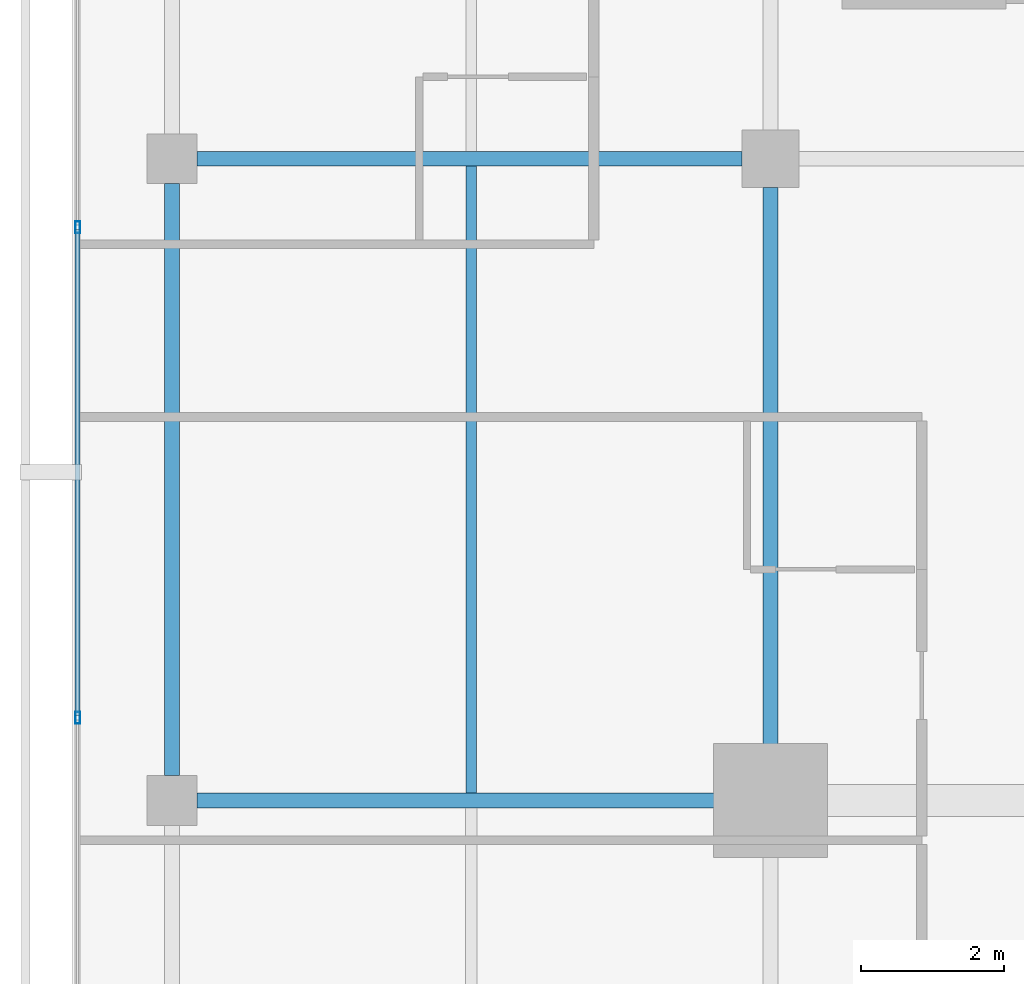
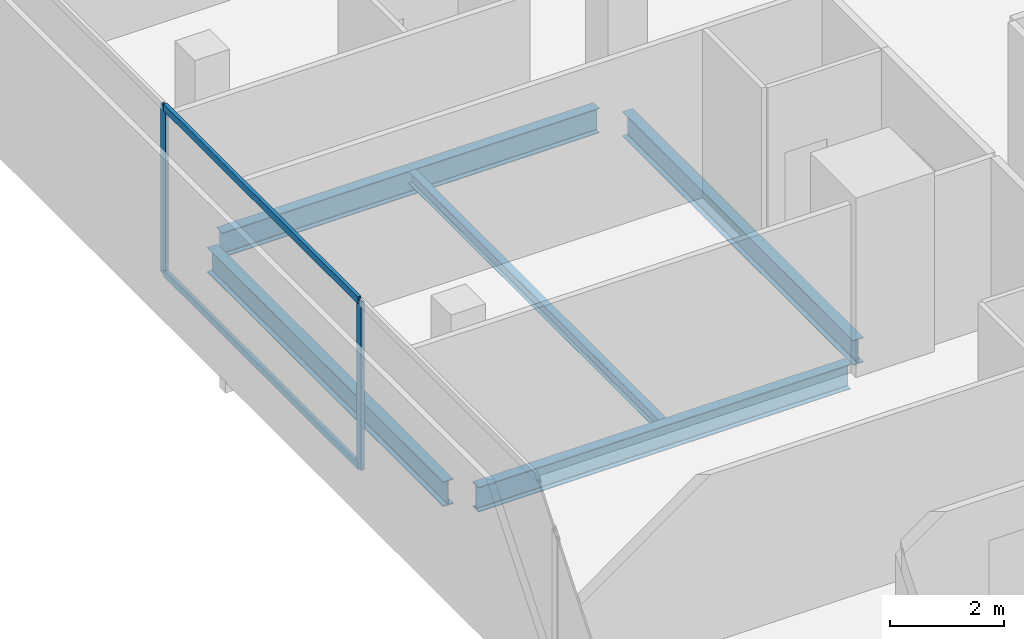
# One storey, part 8 of 25: 5 beams, 4 members, 1 element without a shape of its own.
"""IFC4 building model written with IfcOpenShell, lengths in metres."""

from ifc_helpers import new_model, si_unit, direction, frame, origin, origin_2d, place, context, subcontext, project, spatial, hollow_rectangle, i_section, extrude, material, layer, layer_set, material_profile, profile_set, type_object, element, aggregate, save


model = new_model("IFC4")

# Units and contexts
model_context = context("Model", 3, precision=1e-05, world=origin(), true_north=direction((0.0, 1.0)))
body_context = subcontext(model_context, "Body", "Model", "MODEL_VIEW")
ifc_project = project(units=[si_unit("LENGTHUNIT", "METRE"), si_unit("AREAUNIT", "SQUARE_METRE"), si_unit("VOLUMEUNIT", "CUBIC_METRE"), si_unit("PLANEANGLEUNIT", "RADIAN"), si_unit("MASSUNIT", "GRAM", prefix="KILO")], contexts=[model_context])

# Site, building, storey
site_placement = place(None, origin())
site = spatial("IfcSite", under=ifc_project, at=site_placement, CompositionType="ELEMENT")
building_placement = place(site_placement, origin())
building = spatial("IfcBuilding", under=site, at=building_placement, Name="Maruvema Waterfront Hotel and Observation Tower", CompositionType="ELEMENT")
storey_placement = place(building_placement, frame((0.0, 0.0, 262.5)))
storey = spatial("IfcBuildingStorey", under=building, at=storey_placement, Name="L64", CompositionType="ELEMENT", Elevation=262.5)

# Curtain wall, members
ifc_material_1 = material(Name="Anodised bronze aluminium and solar-control low-E IGU", Category="aluminium")
ifc_layer = layer(ifc_material_1, 0.159912109375, Name="Zone 3 Champagne Inner Thermal Curtain Wall System CW-04")
ifc_layer_set = layer_set([ifc_layer], Name="Anodised bronze aluminium and solar-control low-E IGU")
curtain_wall_type = type_object("IfcCurtainWallType", Name="Zone 3 Champagne Inner Thermal Curtain Wall System CW-04", PredefinedType="USERDEFINED", material=ifc_layer_set)
curtain_wall_placement = place(storey_placement, origin())
curtain_wall = element("IfcCurtainWall", 1, at=curtain_wall_placement, inside=storey, type_object=curtain_wall_type, Name="L64 Curtain Wall CW-L64-W", ObjectType="UNITISED CURTAIN WALL", PredefinedType="USERDEFINED")
ifc_material_2 = material(Name="Anodised architectural bronze aluminium", Category="aluminium")
ifc_material_profile_1 = material_profile(ifc_material_2, hollow_rectangle(XDim=0.070068359375, YDim=0.14990234375, WallThickness=0.00390625, at=origin_2d()), Name="ALU-T70x150")
ifc_profile_set_1 = profile_set([ifc_material_profile_1], Name="Anodised architectural bronze aluminium")
member_type_1 = type_object("IfcMemberType", Name="Curtain Wall Horizontal Transom ALU-T70x150", PredefinedType="USERDEFINED", material=ifc_profile_set_1)
member_1_placement = place(storey_placement, frame((15.47998046875, 35.010009765625, 0.030029296875), z_axis=(0.0, -1.0, 0.0), x_axis=(1.0, 0.0, 0.0)))
member_1 = element("IfcMember", 2, at=member_1_placement, type_object=member_type_1, Name="CW-04 transom 3.1", ObjectType="TRANSOM", PredefinedType="USERDEFINED", context=body_context, shape_type="SweptSolid", body=[
    extrude(hollow_rectangle(XDim=0.070068359375, YDim=0.14990234375, WallThickness=0.00390625, at=origin_2d()), origin(), (0.0, 0.0, 1.0), 6.820068359375),
])
member_2_placement = place(storey_placement, frame((15.47998046875, 35.010009765625, 3.580078125), z_axis=(0.0, -1.0, 0.0), x_axis=(1.0, 0.0, 0.0)))
member_2 = element("IfcMember", 3, at=member_2_placement, type_object=member_type_1, Name="CW-04 transom 3.2", ObjectType="TRANSOM", PredefinedType="USERDEFINED", context=body_context, shape_type="SweptSolid", body=[
    extrude(hollow_rectangle(XDim=0.070068359375, YDim=0.14990234375, WallThickness=0.00390625, at=origin_2d()), origin(), (0.0, 0.0, 1.0), 6.820068359375),
])
ifc_material_3 = material(Name="Anodised architectural bronze aluminium", Category="aluminium")
ifc_material_profile_2 = material_profile(ifc_material_3, hollow_rectangle(XDim=0.06494140625, YDim=0.1650390625, WallThickness=0.00390625, at=origin_2d()), Name="ALU-M65x165")
ifc_profile_set_2 = profile_set([ifc_material_profile_2], Name="Anodised architectural bronze aluminium")
member_type_2 = type_object("IfcMemberType", Name="Curtain Wall Primary Mullion ALU-M65x165", PredefinedType="MULLION", material=ifc_profile_set_2)
member_3_placement = place(storey_placement, frame((15.47998046875, 35.0400390625, 0.0), z_axis=(0.0, 0.0, 1.0), x_axis=(1.0, 0.0, 0.0)))
member_3 = element("IfcMember", 4, at=member_3_placement, type_object=member_type_2, Name="CW-04 mullion 3", PredefinedType="MULLION", context=body_context, shape_type="SweptSolid", body=[
    extrude(hollow_rectangle(XDim=0.06494140625, YDim=0.1650390625, WallThickness=0.00390625, at=origin_2d()), origin(), (0.0, 0.0, 1.0), 3.610107421875),
])
member_4_placement = place(storey_placement, frame((15.47998046875, 28.159912109375, 0.0), z_axis=(0.0, 0.0, 1.0), x_axis=(1.0, 0.0, 0.0)))
member_4 = element("IfcMember", 5, at=member_4_placement, type_object=member_type_2, Name="CW-04 mullion 4", PredefinedType="MULLION", context=body_context, shape_type="SweptSolid", body=[
    extrude(hollow_rectangle(XDim=0.06494140625, YDim=0.1650390625, WallThickness=0.00390625, at=origin_2d()), origin(), (0.0, 0.0, 1.0), 3.610107421875),
])
aggregate(curtain_wall, [member_3, member_4, member_1, member_2])

# Beams
ifc_material_4 = material(Name="Steel ASTM A572 Grade 50", Category="steel")
ifc_material_profile_3 = material_profile(ifc_material_4, i_section(OverallWidth=0.208984375, OverallDepth=0.532958984375, WebThickness=0.01025390625, FlangeThickness=0.015625, FilletRadius=0.014892578125, at=origin_2d()), Name="W530x92.0")
ifc_profile_set_3 = profile_set([ifc_material_profile_3], Name="Steel ASTM A572 Grade 50")
beam_type_1 = type_object("IfcBeamType", Name="Primary Floor Girder W530x92.0", PredefinedType="BEAM", material=ifc_profile_set_3)
beam_1_placement = place(storey_placement, frame((17.14990234375, 27.0, -0.506591796875), z_axis=(1.0, 0.0, 0.0), x_axis=(0.0, 1.0, 0.0)))
element("IfcBeam", 6, at=beam_1_placement, inside=storey, type_object=beam_type_1, Name="L64 Floor Girder EW-09", PredefinedType="BEAM", context=body_context, shape_type="SweptSolid", body=[
    extrude(i_section(OverallWidth=0.208984375, OverallDepth=0.532958984375, WebThickness=0.01025390625, FlangeThickness=0.015625, FilletRadius=0.014892578125, at=origin_2d()), origin(), (0.0, 0.0, 1.0), 7.550048828125),
])
beam_2_placement = place(storey_placement, frame((17.14990234375, 36.0, -0.506591796875), z_axis=(1.0, 0.0, 0.0), x_axis=(0.0, 1.0, 0.0)))
element("IfcBeam", 7, at=beam_2_placement, inside=storey, type_object=beam_type_1, Name="L64 Floor Girder EW-12", PredefinedType="BEAM", context=body_context, shape_type="SweptSolid", body=[
    extrude(i_section(OverallWidth=0.208984375, OverallDepth=0.532958984375, WebThickness=0.01025390625, FlangeThickness=0.015625, FilletRadius=0.014892578125, at=origin_2d()), origin(), (0.0, 0.0, 1.0), 7.650146484375),
])
beam_3_placement = place(storey_placement, frame((16.800048828125, 27.35009765625, -0.506591796875), z_axis=(0.0, 1.0, 0.0), x_axis=(-1.0, 0.0, 0.0)))
element("IfcBeam", 8, at=beam_3_placement, inside=storey, type_object=beam_type_1, Name="L64 Floor Girder NS-02", PredefinedType="BEAM", context=body_context, shape_type="SweptSolid", body=[
    extrude(i_section(OverallWidth=0.208984375, OverallDepth=0.532958984375, WebThickness=0.01025390625, FlangeThickness=0.015625, FilletRadius=0.014892578125, at=origin_2d()), origin(), (0.0, 0.0, 1.0), 8.2998046875),
])
beam_4_placement = place(storey_placement, frame((25.199951171875, 27.5, -0.506591796875), z_axis=(0.0, 1.0, 0.0), x_axis=(-1.0, 0.0, 0.0)))
element("IfcBeam", 9, at=beam_4_placement, inside=storey, type_object=beam_type_1, Name="L64 Floor Girder NS-06", PredefinedType="BEAM", context=body_context, shape_type="SweptSolid", body=[
    extrude(i_section(OverallWidth=0.208984375, OverallDepth=0.532958984375, WebThickness=0.01025390625, FlangeThickness=0.015625, FilletRadius=0.014892578125, at=origin_2d()), origin(), (0.0, 0.0, 1.0), 8.10009765625),
])
ifc_material_5 = material(Name="Steel ASTM A572 Grade 50", Category="steel")
ifc_material_profile_4 = material_profile(ifc_material_5, i_section(OverallWidth=0.14794921875, OverallDepth=0.26611328125, WebThickness=0.007568359375, FlangeThickness=0.012939453125, FilletRadius=0.012939453125, at=origin_2d()), Name="W250x44.8")
ifc_profile_set_4 = profile_set([ifc_material_profile_4], Name="Steel ASTM A572 Grade 50")
beam_type_2 = type_object("IfcBeamType", Name="Secondary Floor Joist W250x44.8", PredefinedType="JOIST", material=ifc_profile_set_4)
beam_5_placement = place(storey_placement, frame((21.0, 27.1044921875, -0.373046875), z_axis=(0.0, 1.0, 0.0), x_axis=(-1.0, 0.0, 0.0)))
element("IfcBeam", 10, at=beam_5_placement, inside=storey, type_object=beam_type_2, Name="L64 Secondary Floor Joist JS-02", PredefinedType="JOIST", context=body_context, shape_type="SweptSolid", body=[
    extrude(i_section(OverallWidth=0.14794921875, OverallDepth=0.26611328125, WebThickness=0.007568359375, FlangeThickness=0.012939453125, FilletRadius=0.012939453125, at=origin_2d()), origin(), (0.0, 0.0, 1.0), 8.791015625),
])

save(model, "model.ifc")
